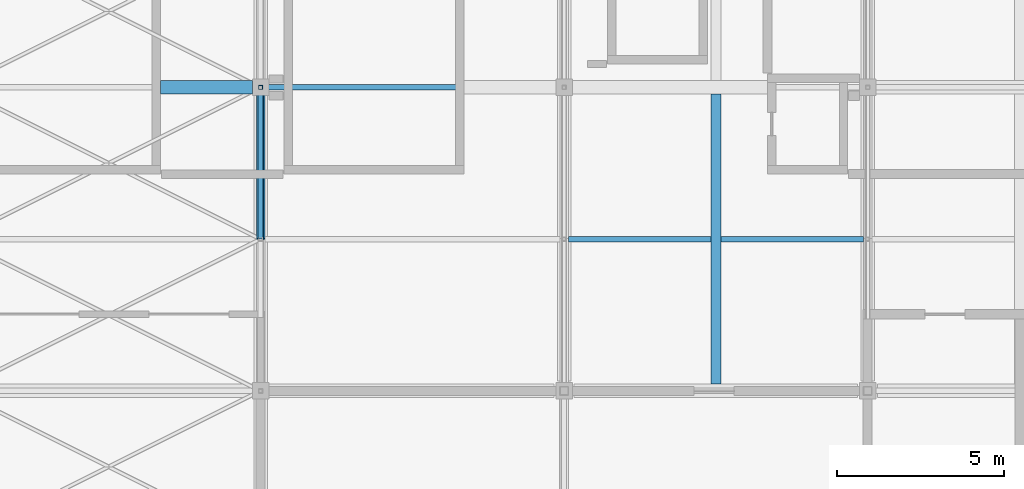
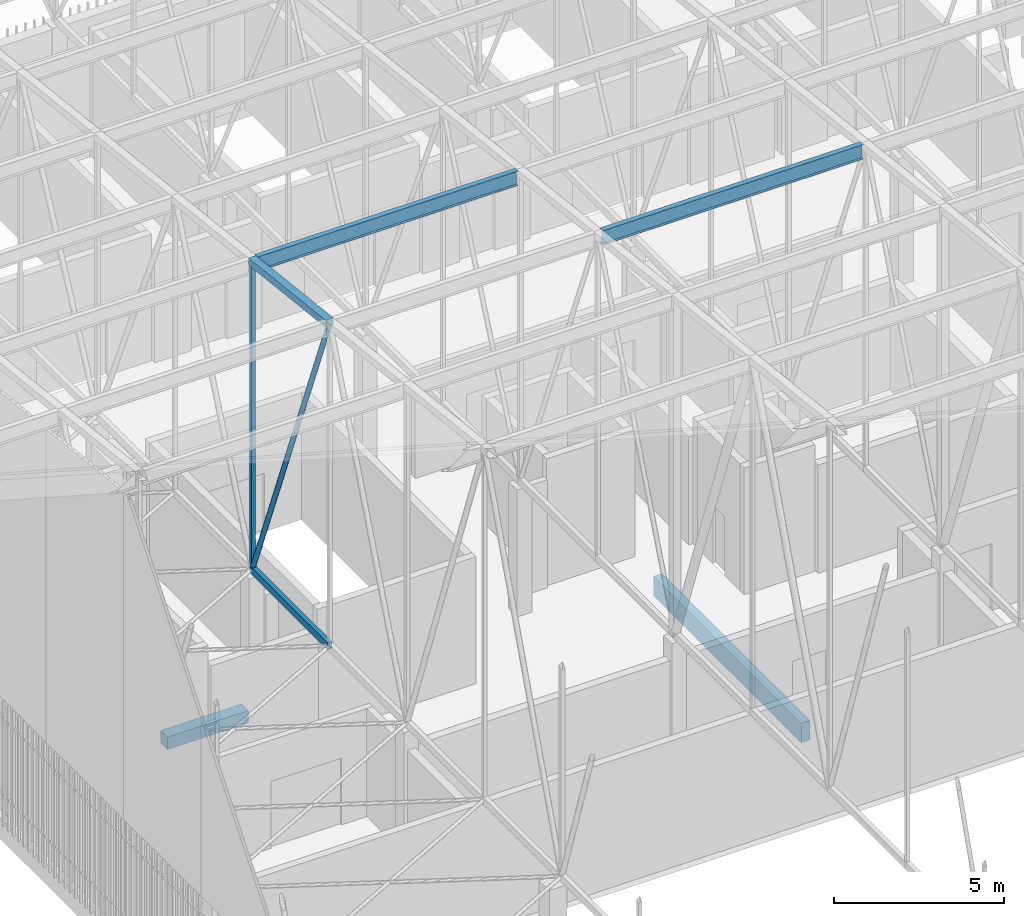
# One storey, part 188 of 500: 6 members, 2 beams.
"""IFC4 building model written with IfcOpenShell, lengths in metres."""

from ifc_helpers import new_model, si_unit, direction, frame, origin, origin_2d, place, context, subcontext, project, spatial, rectangle, hollow_rectangle, hollow_circle, i_section, extrude, material, material_profile, profile_set, type_object, element, save


model = new_model("IFC4")

# Units and contexts
model_context = context("Model", 3, precision=1e-05, world=origin(), true_north=direction((0.0, 1.0)))
body_context = subcontext(model_context, "Body", "Model", "MODEL_VIEW")
ifc_project = project(units=[si_unit("LENGTHUNIT", "METRE"), si_unit("AREAUNIT", "SQUARE_METRE"), si_unit("VOLUMEUNIT", "CUBIC_METRE"), si_unit("PLANEANGLEUNIT", "RADIAN"), si_unit("MASSUNIT", "GRAM", prefix="KILO")], contexts=[model_context])

# Site, building, storey
site_placement = place(None, origin())
site = spatial("IfcSite", under=ifc_project, at=site_placement, CompositionType="ELEMENT")
building_placement = place(site_placement, origin())
building = spatial("IfcBuilding", under=site, at=building_placement, Name="Shirokan Park Arena", CompositionType="ELEMENT")
storey_placement = place(building_placement, frame((0.0, 0.0, 29.1201171875)))
storey = spatial("IfcBuildingStorey", under=building, at=storey_placement, Name="L06", CompositionType="ELEMENT", Elevation=29.1201171875)

# Members
ifc_material_1 = material(Name="Steel ASTM A500 Grade C", Category="steel")
ifc_material_profile_1 = material_profile(ifc_material_1, hollow_rectangle(XDim=0.152099609375, YDim=0.25390625, WallThickness=0.009521484375, at=origin_2d()), Name="HSS254X152.4X9.5")
ifc_profile_set_1 = profile_set([ifc_material_profile_1], Name="Steel ASTM A500 Grade C")
member_type_1 = type_object("IfcMemberType", Name="Bottom chord HSS254X152.4X9.5", PredefinedType="CHORD", material=ifc_profile_set_1)
member_1_placement = place(storey_placement, frame((9.10009765625, 77.35009765625, 4.677001953125), z_axis=(0.0, 1.0, 0.0), x_axis=(-1.0, 0.0, 0.0)))
element("IfcMember", 1, at=member_1_placement, inside=storey, type_object=member_type_1, Name="Truss T02 bottom chord 20", PredefinedType="CHORD", context=body_context, shape_type="SweptSolid", body=[
    extrude(hollow_rectangle(XDim=0.152099609375, YDim=0.25390625, WallThickness=0.009521484375, at=origin_2d()), origin(), (0.0, 0.0, 1.0), 4.5498046875),
])
ifc_material_2 = material(Name="Steel ASTM A992", Category="steel")
ifc_material_profile_2 = material_profile(ifc_material_2, i_section(OverallWidth=0.166015625, OverallDepth=0.528076171875, WebThickness=0.009765625, FlangeThickness=0.013671875, at=origin_2d()), Name="W530X74")
ifc_profile_set_2 = profile_set([ifc_material_profile_2], Name="Steel ASTM A992")
member_type_2 = type_object("IfcMemberType", Name="Purlin W530X74", PredefinedType="PURLIN", material=ifc_profile_set_2)
member_2_placement = place(storey_placement, frame((18.326904296875, 77.35009765625, 16.1259765625), z_axis=(1.0, 0.0, 0.0), x_axis=(0.0, 1.0, 0.0)))
element("IfcMember", 2, at=member_2_placement, inside=storey, type_object=member_type_2, Name="Purlin 20 bay 3", PredefinedType="PURLIN", context=body_context, shape_type="SweptSolid", body=[
    extrude(i_section(OverallWidth=0.166015625, OverallDepth=0.528076171875, WebThickness=0.009765625, FlangeThickness=0.013671875, at=origin_2d()), origin(), (0.0, 0.0, 1.0), 8.84619140625),
])
member_3_placement = place(storey_placement, frame((9.22705078125, 81.89990234375, 15.60595703125), z_axis=(1.0, 0.0, 0.0), x_axis=(0.0, 1.0, 0.0)))
element("IfcMember", 3, at=member_3_placement, inside=storey, type_object=member_type_2, Name="Purlin 21 bay 2", PredefinedType="PURLIN", context=body_context, shape_type="SweptSolid", body=[
    extrude(i_section(OverallWidth=0.166015625, OverallDepth=0.528076171875, WebThickness=0.009765625, FlangeThickness=0.013671875, at=origin_2d()), origin(), (0.0, 0.0, 1.0), 8.845947265625),
])

# Beams
ifc_material_3 = material(Name="Concrete C35", Category="concrete")
ifc_material_profile_3 = material_profile(ifc_material_3, rectangle(XDim=0.300048828125, YDim=0.699951171875, at=origin_2d()), Name="300x700")
ifc_profile_set_3 = profile_set([ifc_material_profile_3], Name="Concrete C35")
beam_type_1 = type_object("IfcBeamType", Name="RC joist 300x700", PredefinedType="JOIST", material=ifc_profile_set_3)
beam_1_placement = place(storey_placement, frame((22.75, 73.0, -0.550048828125), z_axis=(0.0, 1.0, 0.0), x_axis=(-1.0, 0.0, 0.0)))
element("IfcBeam", 4, at=beam_1_placement, inside=storey, type_object=beam_type_1, Name="Joist 3J L06", PredefinedType="JOIST", context=body_context, shape_type="SweptSolid", body=[
    extrude(rectangle(XDim=0.300048828125, YDim=0.699951171875, at=origin_2d()), origin(), (0.0, 0.0, 1.0), 8.699951171875),
])
ifc_material_profile_4 = material_profile(ifc_material_3, rectangle(XDim=0.39990234375, YDim=0.449951171875, at=origin_2d()), Name="400x450")
ifc_profile_set_4 = profile_set([ifc_material_profile_4], Name="Concrete C35")
beam_type_2 = type_object("IfcBeamType", Name="RC trimmer 400x450", PredefinedType="BEAM", material=ifc_profile_set_4)
beam_2_placement = place(storey_placement, frame((6.10009765625, 81.89990234375, -0.425048828125), z_axis=(1.0, 0.0, 0.0), x_axis=(0.0, 1.0, 0.0)))
element("IfcBeam", 5, at=beam_2_placement, inside=storey, type_object=beam_type_2, Name="Girder 1K-2K L06", PredefinedType="BEAM", context=body_context, shape_type="SweptSolid", body=[
    extrude(rectangle(XDim=0.39990234375, YDim=0.449951171875, at=origin_2d()), origin(), (0.0, 0.0, 1.0), 2.749755859375),
])

# Members
ifc_material_profile_5 = material_profile(ifc_material_1, hollow_rectangle(XDim=0.25390625, YDim=0.25390625, WallThickness=0.009521484375, at=origin_2d()), Name="HSS254X254X9.5")
ifc_profile_set_5 = profile_set([ifc_material_profile_5], Name="Steel ASTM A500 Grade C")
member_type_3 = type_object("IfcMemberType", Name="Top chord HSS254X254X9.5", PredefinedType="CHORD", material=ifc_profile_set_5)
member_4_placement = place(storey_placement, frame((9.10009765625, 77.35009765625, 16.262939453125), z_axis=(0.0, 0.993531641592, -0.11355561261), x_axis=(-1.0, 0.0, 0.0)))
element("IfcMember", 6, at=member_4_placement, inside=storey, type_object=member_type_3, Name="Truss T02 top chord 20", PredefinedType="CHORD", context=body_context, shape_type="SweptSolid", body=[
    extrude(hollow_rectangle(XDim=0.25390625, YDim=0.25390625, WallThickness=0.009521484375, at=origin_2d()), origin(), (0.0, 0.0, 1.0), 4.579345703125),
])
ifc_material_profile_6 = material_profile(ifc_material_1, hollow_circle(Radius=0.083984375, WallThickness=0.009521484375, at=origin_2d()), Name="HSS168.3X9.5")
ifc_profile_set_6 = profile_set([ifc_material_profile_6], Name="Steel ASTM A500 Grade C")
member_type_4 = type_object("IfcMemberType", Name="Truss diagonal HSS168.3X9.5", PredefinedType="BRACE", material=ifc_profile_set_6)
member_5_placement = place(storey_placement, frame((9.10009765625, 77.35009765625, 16.262939453125), z_axis=(0.0, 0.365526146051, -0.930801072493), x_axis=(-1.0, 0.0, 0.0)))
element("IfcMember", 7, at=member_5_placement, inside=storey, type_object=member_type_4, Name="Truss T02 diagonal 20", PredefinedType="BRACE", context=body_context, shape_type="SweptSolid", body=[
    extrude(hollow_circle(Radius=0.083984375, WallThickness=0.009521484375, at=origin_2d()), origin(), (0.0, 0.0, 1.0), 12.447265625),
])
ifc_material_profile_7 = material_profile(ifc_material_1, hollow_rectangle(XDim=0.126953125, YDim=0.126953125, WallThickness=0.0126953125, at=origin_2d()), Name="HSS127X127X12.7")
ifc_profile_set_7 = profile_set([ifc_material_profile_7], Name="Steel ASTM A500 Grade C")
member_type_5 = type_object("IfcMemberType", Name="Truss post HSS127X127X12.7", PredefinedType="POST", material=ifc_profile_set_7)
member_6_placement = place(storey_placement, frame((9.10009765625, 81.89990234375, 4.677001953125), z_axis=(0.0, 0.0, 1.0), x_axis=(1.0, 0.0, 0.0)))
element("IfcMember", 8, at=member_6_placement, inside=storey, type_object=member_type_5, Name="Truss T02 post 21", PredefinedType="POST", context=body_context, shape_type="SweptSolid", body=[
    extrude(hollow_rectangle(XDim=0.126953125, YDim=0.126953125, WallThickness=0.0126953125, at=origin_2d()), origin(), (0.0, 0.0, 1.0), 11.06591796875),
])

save(model, "model.ifc")
